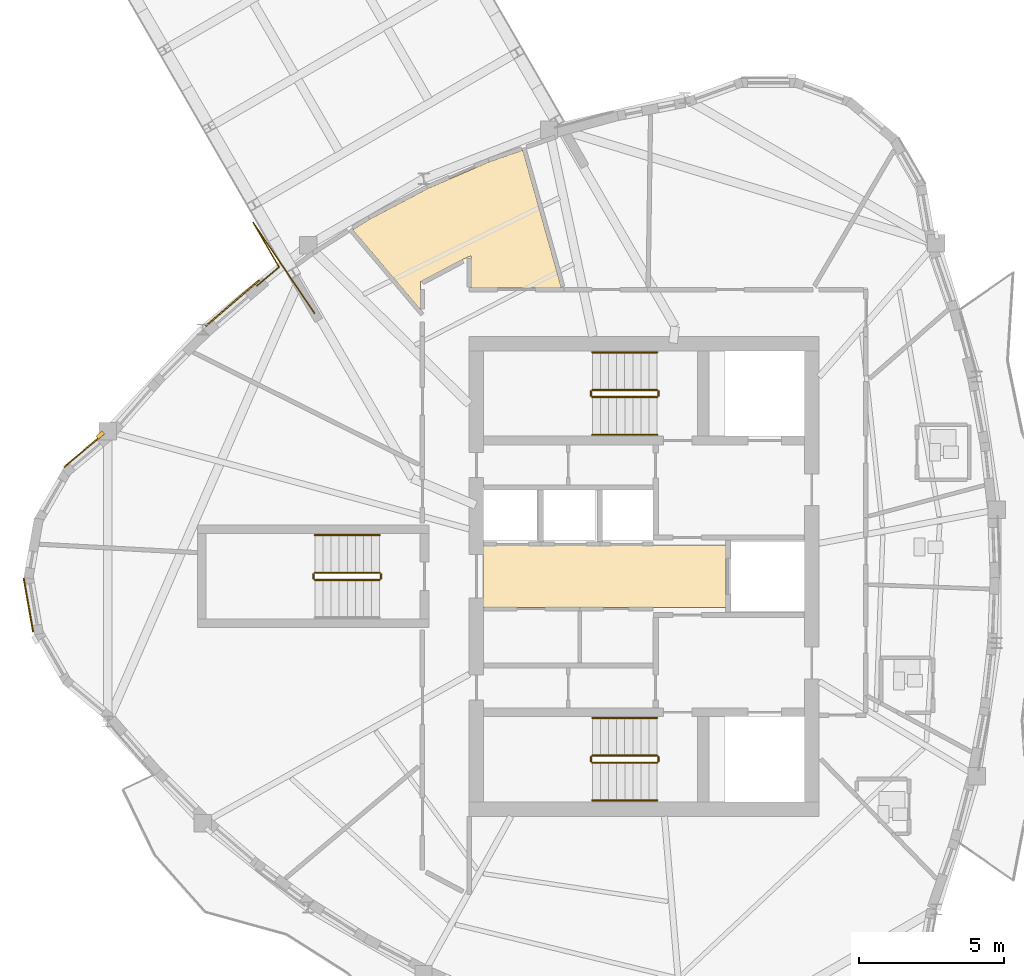
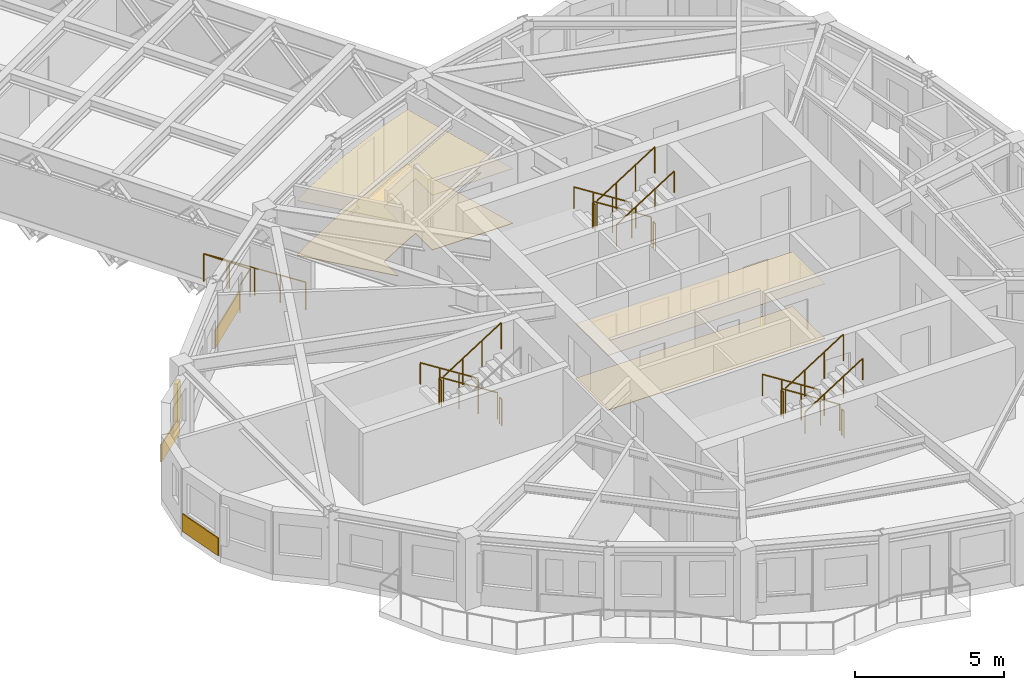
# One storey, part 12 of 14: 18 railings, 7 coverings, 1 shading device.
"""IFC4 building model written with IfcOpenShell, lengths in metres."""

from ifc_helpers import new_model, si_unit, direction, frame, origin, origin_2d, place, context, subcontext, project, spatial, polyline, rectangle, circle, outline, extrude, source, transform, mapped, material, layer, layer_set, type_object, element, save


model = new_model("IFC4")

# Units and contexts
model_context = context("Model", 3, precision=1e-05, world=origin(), true_north=direction((0.0, 1.0)))
body_context = subcontext(model_context, "Body", "Model", "MODEL_VIEW")
ifc_project = project(units=[si_unit("LENGTHUNIT", "METRE"), si_unit("AREAUNIT", "SQUARE_METRE"), si_unit("VOLUMEUNIT", "CUBIC_METRE"), si_unit("PLANEANGLEUNIT", "RADIAN"), si_unit("MASSUNIT", "GRAM", prefix="KILO")], contexts=[model_context])

# Site, building, storey
site_placement = place(None, origin())
site = spatial("IfcSite", under=ifc_project, at=site_placement, CompositionType="ELEMENT")
building_placement = place(site_placement, origin())
building = spatial("IfcBuilding", under=site, at=building_placement, Name="Qafzar Sky-Pleat Residences", CompositionType="ELEMENT")
storey_placement = place(building_placement, frame((0.0, 0.0, 208.39990234375)))
storey = spatial("IfcBuildingStorey", under=building, at=storey_placement, Name="L62", CompositionType="ELEMENT", Elevation=208.39990234375)

# Coverings
ifc_material_1 = material(Name="Perforated acoustic gypsum board ceiling")
ifc_layer_1 = layer(ifc_material_1, 0.02001953125)
ifc_layer_set_1 = layer_set([ifc_layer_1], Name="Perforated acoustic gypsum board ceiling")
covering_type_1 = type_object("IfcCoveringType", Name="COV-CEIL-ACOUSTIC", PredefinedType="CEILING", material=ifc_layer_set_1)
covering_1_placement = place(storey_placement, frame((0.0, 0.0, 2.239990234375)))
element("IfcCovering", 1, at=covering_1_placement, inside=storey, type_object=covering_type_1, Name="L62 Passenger Lift Lobby Acoustic Ceiling", PredefinedType="CEILING", context=body_context, shape_type="SweptSolid", body=[
    extrude(outline(polyline([(33.179931640625, 24.919921875), (24.77001953125, 24.919921875), (24.77001953125, 27.080078125), (33.179931640625, 27.080078125), (33.179931640625, 24.919921875)])), origin(), (0.0, 0.0, 1.0), 0.02001953125),
])
covering_2_placement = place(storey_placement, frame((0.0, 0.0, 2.239990234375)))
element("IfcCovering", 2, at=covering_2_placement, inside=storey, type_object=covering_type_1, Name="L62 Co-Living Lounge Acoustic Ceiling", PredefinedType="CEILING", context=body_context, shape_type="SweptSolid", body=[
    extrude(outline(polyline([(20.8642578125, 38.359619140625), (22.879150390625, 39.4228515625), (24.980712890625, 40.33642578125), (26.15185546875, 40.745361328125), (27.48828125, 35.97998046875), (24.360107421875, 35.97998046875), (24.360107421875, 37.08984375), (24.06201171875, 36.960205078125), (22.6201171875, 36.19921875), (22.6201171875, 35.21875), (20.274169921875, 37.98828125), (20.8642578125, 38.359619140625)])), origin(), (0.0, 0.0, 1.0), 0.02001953125),
])
ifc_material_2 = material(Name="Honed porcelain and Riyadh stone tile flooring", Category="masonry")
ifc_layer_2 = layer(ifc_material_2, 0.02001953125)
ifc_layer_set_2 = layer_set([ifc_layer_2], Name="Honed porcelain and Riyadh stone tile flooring")
covering_type_2 = type_object("IfcCoveringType", Name="COV-FLR-PORCELAIN", PredefinedType="FLOORING", material=ifc_layer_set_2)
covering_3_placement = place(storey_placement, origin())
element("IfcCovering", 3, at=covering_3_placement, inside=storey, type_object=covering_type_2, Name="L62 Passenger Lift Lobby Honed Stone Flooring", PredefinedType="FLOORING", context=body_context, shape_type="SweptSolid", body=[
    extrude(outline(polyline([(33.179931640625, 24.919921875), (24.77001953125, 24.919921875), (24.77001953125, 27.080078125), (33.179931640625, 27.080078125), (33.179931640625, 24.919921875)])), origin(), (0.0, 0.0, 1.0), 0.02001953125),
])
covering_4_placement = place(storey_placement, origin())
element("IfcCovering", 4, at=covering_4_placement, inside=storey, type_object=covering_type_2, Name="L62 Co-Living Lounge Honed Stone Flooring", PredefinedType="FLOORING", context=body_context, shape_type="SweptSolid", body=[
    extrude(outline(polyline([(20.8642578125, 38.359619140625), (22.879150390625, 39.4228515625), (24.980712890625, 40.33642578125), (26.15185546875, 40.745361328125), (27.48828125, 35.97998046875), (24.360107421875, 35.97998046875), (24.360107421875, 37.08984375), (24.06201171875, 36.960205078125), (22.6201171875, 36.19921875), (22.6201171875, 35.21875), (20.274169921875, 37.98828125), (20.8642578125, 38.359619140625)])), origin(), (0.0, 0.0, 1.0), 0.02001953125),
])

# Shading device
ifc_material_3 = material(Name="Honed Riyadh limestone solar fin", Category="masonry")
ifc_layer_3 = layer(ifc_material_3, 0.139892578125)
ifc_layer_set_3 = layer_set([ifc_layer_3], Name="Honed Riyadh limestone solar fin")
shading_device_type = type_object("IfcShadingDeviceType", Name="SHD-FIN-STONE", PredefinedType="SHUTTER", material=ifc_layer_set_3)
shared_shape_1 = source(origin(), body_context, "Body", "SweptSolid", [
    extrude(rectangle(XDim=0.139892578125, YDim=0.280029296875, at=origin_2d()), origin(), (0.0, 0.0, 1.0), 1.60009765625),
])
shading_device_placement = place(storey_placement, frame((11.533935546875, 30.888916015625, 0.60009765625), z_axis=(0.0, 0.0, 1.0), x_axis=(-0.642754210861, 0.76607246682, 0.0)))
element("IfcShadingDevice", 5, at=shading_device_placement, inside=storey, type_object=shading_device_type, Name="L62 Limestone Solar Fin 1", PredefinedType="SHUTTER", context=body_context, shape_type="MappedRepresentation", body=[
    mapped(shared_shape_1, transform((0.0, 0.0, 0.0), x_axis=(1.0, 0.0, 0.0), y_axis=(0.0, 1.0, 0.0), z_axis=(0.0, 0.0, 1.0), scale=1.0)),
])

# Coverings
ifc_material_4 = material(Name="Honed Riyadh Tuwaiq limestone cladding", Category="masonry")
ifc_layer_4 = layer(ifc_material_4, 0.044921875)
ifc_layer_set_4 = layer_set([ifc_layer_4], Name="Honed Riyadh Tuwaiq limestone cladding")
covering_type_3 = type_object("IfcCoveringType", Name="COV-CLAD-STONE", PredefinedType="CLADDING", material=ifc_layer_set_4)
shared_shape_2 = source(origin(), body_context, "Body", "SweptSolid", [
    extrude(rectangle(XDim=1.88134765625, YDim=0.044921875, at=origin_2d()), origin(), (0.0, 0.0, 1.0), 0.719970703125),
])
covering_5_placement = place(storey_placement, frame((9.04833984375, 25.00439453125, 0.02001953125), z_axis=(0.0, 0.0, 1.0), x_axis=(0.173662519465, -0.984805224059, 0.0)))
element("IfcCovering", 6, at=covering_5_placement, inside=storey, type_object=covering_type_3, Name="L62 Riyadh Limestone Spandrel Cladding 4", PredefinedType="CLADDING", context=body_context, shape_type="MappedRepresentation", body=[
    mapped(shared_shape_2, transform((0.0, 0.0, 0.0), x_axis=(1.0, 0.0, 0.0), y_axis=(0.0, 1.0, 0.0), z_axis=(0.0, 0.0, 1.0), scale=1.0)),
])
shared_shape_3 = source(origin(), body_context, "Body", "SweptSolid", [
    extrude(rectangle(XDim=1.76611328125, YDim=0.044921875, at=origin_2d()), origin(), (0.0, 0.0, 1.0), 0.719970703125),
])
covering_6_placement = place(storey_placement, frame((10.960205078125, 30.351318359375, 0.02001953125), z_axis=(0.0, 0.0, 1.0), x_axis=(-0.76607417096, -0.642752179762, 0.0)))
element("IfcCovering", 7, at=covering_6_placement, inside=storey, type_object=covering_type_3, Name="L62 Riyadh Limestone Spandrel Cladding 1", PredefinedType="CLADDING", context=body_context, shape_type="MappedRepresentation", body=[
    mapped(shared_shape_3, transform((0.0, 0.0, 0.0), x_axis=(1.0, 0.0, 0.0), y_axis=(0.0, 1.0, 0.0), z_axis=(0.0, 0.0, 1.0), scale=1.0)),
])
shared_shape_4 = source(origin(), body_context, "Body", "SweptSolid", [
    extrude(rectangle(XDim=2.435302734375, YDim=0.044921875, at=origin_2d()), origin(), (0.0, 0.0, 1.0), 0.719970703125),
])
covering_7_placement = place(storey_placement, frame((16.111572265625, 35.453857421875, 0.02001953125), z_axis=(0.0, 0.0, 1.0), x_axis=(-0.757500711769, -0.652834337078, 0.0)))
element("IfcCovering", 8, at=covering_7_placement, inside=storey, type_object=covering_type_3, Name="L62 Riyadh Limestone Spandrel Cladding 46", PredefinedType="CLADDING", context=body_context, shape_type="MappedRepresentation", body=[
    mapped(shared_shape_4, transform((0.0, 0.0, 0.0), x_axis=(1.0, 0.0, 0.0), y_axis=(0.0, 1.0, 0.0), z_axis=(0.0, 0.0, 1.0), scale=1.0)),
])

# Railings
ifc_material_5 = material(Name="Galvanised and bronze-coated Steel S355 guardrail", Category="steel")
railing_type_1 = type_object("IfcRailingType", Name="RAIL-EXT-1150", PredefinedType="GUARDRAIL", material=ifc_material_5)
shared_shape_5 = source(origin(), body_context, "Body", "SweptSolid", [
    extrude(circle(Radius=0.02392578125, at=origin_2d()), frame((0.0, 0.0, 1.1259765625), z_axis=(0.764194446789, 0.644985928139, 0.0), x_axis=(-0.644985928139, 0.764194446789, 0.0)), (0.0, 0.0, 1.0), 1.007568359375),
    extrude(circle(Radius=0.02392578125, at=origin_2d()), frame((0.77001953125, 0.64990234375, 1.1259765625), z_axis=(-0.50208293911, 0.864819473795, 0.0), x_axis=(-0.864819473795, -0.50208293911, 0.0)), (0.0, 0.0, 1.0), 1.792236328125),
    extrude(circle(Radius=0.02392578125, at=origin_2d()), frame((-0.1298828125, 2.199951171875, 1.1259765625), z_axis=(0.560140932105, -0.828397329897, 0.0), x_axis=(0.828397329897, 0.560140932105, 0.0)), (0.0, 0.0, 1.0), 3.802490234375),
    extrude(circle(Radius=0.02099609375, at=origin_2d()), origin(), (0.0, 0.0, 1.0), 1.101806640625),
    extrude(circle(Radius=0.02099609375, at=origin_2d()), frame((0.77001953125, 0.64990234375, 0.0)), (0.0, 0.0, 1.0), 1.101806640625),
    extrude(circle(Radius=0.02099609375, at=origin_2d()), frame((0.320068359375, 1.4248046875, 0.0)), (0.0, 0.0, 1.0), 1.101806640625),
    extrude(circle(Radius=0.02099609375, at=origin_2d()), frame((-0.1298828125, 2.199951171875, 0.0)), (0.0, 0.0, 1.0), 1.101806640625),
    extrude(circle(Radius=0.02099609375, at=origin_2d()), frame((0.402587890625, 1.41259765625, 0.0)), (0.0, 0.0, 1.0), 1.101806640625),
    extrude(circle(Radius=0.02099609375, at=origin_2d()), frame((0.93505859375, 0.625, 0.0)), (0.0, 0.0, 1.0), 1.101806640625),
    extrude(circle(Radius=0.02099609375, at=origin_2d()), frame((1.467529296875, -0.16259765625, 0.0)), (0.0, 0.0, 1.0), 1.101806640625),
    extrude(circle(Radius=0.02099609375, at=origin_2d()), frame((2.0, -0.949951171875, 0.0)), (0.0, 0.0, 1.0), 1.101806640625),
])
railing_placement = place(storey_placement, frame((16.949951171875, 36.050048828125, 0.0)))
element("IfcRailing", 9, at=railing_placement, inside=storey, type_object=railing_type_1, Name="L62 SB-5 Junction Perimeter Guardrail", PredefinedType="GUARDRAIL", context=body_context, shape_type="MappedRepresentation", body=[
    mapped(shared_shape_5, transform((0.0, 0.0, 0.0), x_axis=(1.0, 0.0, 0.0), y_axis=(0.0, 1.0, 0.0), z_axis=(0.0, 0.0, 1.0), scale=1.0)),
])
ifc_material_6 = material(Name="Painted Steel S355 stair guardrail", Category="steel")
railing_type_2 = type_object("IfcRailingType", Name="RAIL-STAIR-GUARD", PredefinedType="GUARDRAIL", material=ifc_material_6)
shared_shape_6 = source(origin(), body_context, "Body", "SweptSolid", [
    extrude(circle(Radius=0.02392578125, at=origin_2d()), frame((0.0, 0.0, 1.076171875), z_axis=(0.0, -1.0, 0.0), x_axis=(1.0, 0.0, 0.0)), (0.0, 0.0, 1.0), 0.14990234375),
    extrude(circle(Radius=0.02099609375, at=origin_2d()), origin(), (0.0, 0.0, 1.0), 1.052001953125),
    extrude(circle(Radius=0.02099609375, at=origin_2d()), frame((0.0, -0.14990234375, 0.0)), (0.0, 0.0, 1.0), 1.052001953125),
])
for number, where, name in (
    (10, (28.510009765625, 19.75, 1.60009765625), "L62 ST1 stair guard 2"),
    (11, (30.85009765625, 19.75, 0.0), "L62 ST1 stair guard 4"),
    (12, (28.510009765625, 32.39990234375, 1.60009765625), "L62 ST2 stair guard 2"),
    (13, (30.85009765625, 32.39990234375, 0.0), "L62 ST2 stair guard 4"),
    (14, (18.909912109375, 26.074951171875, 1.60009765625), "L62 ST3 stair guard 2"),
    (15, (21.25, 26.074951171875, 0.0), "L62 ST3 stair guard 4"),
):
    element("IfcRailing", number, at=place(storey_placement, frame(where)), inside=storey, type_object=railing_type_2, Name=name, PredefinedType="GUARDRAIL", context=body_context, shape_type="MappedRepresentation", body=[
        mapped(shared_shape_6, transform((0.0, 0.0, 0.0), x_axis=(1.0, 0.0, 0.0), y_axis=(0.0, 1.0, 0.0), z_axis=(0.0, 0.0, 1.0), scale=1.0)),
    ])
shared_shape_7 = source(origin(), body_context, "Body", "SweptSolid", [
    extrude(circle(Radius=0.02392578125, at=origin_2d()), frame((0.0, 0.0, 1.076171875), z_axis=(-0.8442293374, 0.0, 0.53598211339), x_axis=(0.0, -1.0, 0.0)), (0.0, 0.0, 1.0), 2.6533203125),
    extrude(circle(Radius=0.02099609375, at=origin_2d()), origin(), (0.0, 0.0, 1.0), 1.052001953125),
    extrude(circle(Radius=0.02099609375, at=origin_2d()), frame((-0.74658203125, 0.0, 0.47412109375)), (0.0, 0.0, 1.0), 1.052001953125),
    extrude(circle(Radius=0.02099609375, at=origin_2d()), frame((-1.493408203125, 0.0, 0.947998046875)), (0.0, 0.0, 1.0), 1.052001953125),
    extrude(circle(Radius=0.02099609375, at=origin_2d()), frame((-2.239990234375, 0.0, 1.422119140625)), (0.0, 0.0, 1.0), 1.052001953125),
])
for number, where, name in (
    (16, (30.800048828125, 19.800048828125, 0.177978515625), "L62 ST1 stair guard 1"),
    (17, (30.800048828125, 32.449951171875, 0.177978515625), "L62 ST2 stair guard 1"),
    (18, (21.199951171875, 26.125, 0.177978515625), "L62 ST3 stair guard 1"),
):
    element("IfcRailing", number, at=place(storey_placement, frame(where)), inside=storey, type_object=railing_type_2, Name=name, PredefinedType="GUARDRAIL", context=body_context, shape_type="MappedRepresentation", body=[
        mapped(shared_shape_7, transform((0.0, 0.0, 0.0), x_axis=(1.0, 0.0, 0.0), y_axis=(0.0, 1.0, 0.0), z_axis=(0.0, 0.0, 1.0), scale=1.0)),
    ])
ifc_material_7 = material(Name="Brushed stainless steel handrail", Category="steel")
railing_type_3 = type_object("IfcRailingType", Name="RAIL-STAIR-HAND", PredefinedType="HANDRAIL", material=ifc_material_7)
shared_shape_8 = source(origin(), body_context, "Body", "SweptSolid", [
    extrude(circle(Radius=0.02392578125, at=origin_2d()), frame((0.0, 0.0, 0.8759765625), z_axis=(-0.8442293374, 0.0, 0.53598211339), x_axis=(0.0, -1.0, 0.0)), (0.0, 0.0, 1.0), 2.6533203125),
    extrude(circle(Radius=0.02099609375, at=origin_2d()), origin(), (0.0, 0.0, 1.0), 0.851806640625),
    extrude(circle(Radius=0.02099609375, at=origin_2d()), frame((-0.74658203125, 0.0, 0.47412109375)), (0.0, 0.0, 1.0), 0.851806640625),
    extrude(circle(Radius=0.02099609375, at=origin_2d()), frame((-1.493408203125, 0.0, 0.947998046875)), (0.0, 0.0, 1.0), 0.851806640625),
    extrude(circle(Radius=0.02099609375, at=origin_2d()), frame((-2.239990234375, 0.0, 1.422119140625)), (0.0, 0.0, 1.0), 0.851806640625),
])
for number, where, name in (
    (19, (30.800048828125, 21.10009765625, 0.177978515625), "L62 ST1 stair handrail 1"),
    (20, (30.800048828125, 33.75, 0.177978515625), "L62 ST2 stair handrail 1"),
    (21, (21.199951171875, 27.425048828125, 0.177978515625), "L62 ST3 stair handrail 1"),
):
    element("IfcRailing", number, at=place(storey_placement, frame(where)), inside=storey, type_object=railing_type_3, Name=name, PredefinedType="HANDRAIL", context=body_context, shape_type="MappedRepresentation", body=[
        mapped(shared_shape_8, transform((0.0, 0.0, 0.0), x_axis=(1.0, 0.0, 0.0), y_axis=(0.0, 1.0, 0.0), z_axis=(0.0, 0.0, 1.0), scale=1.0)),
    ])
shared_shape_9 = source(origin(), body_context, "Body", "SweptSolid", [
    extrude(circle(Radius=0.02392578125, at=origin_2d()), frame((0.0, 0.0, 1.076171875), z_axis=(0.84418770128, 0.0, 0.536047689118), x_axis=(0.0, 1.0, 0.0)), (0.0, 0.0, 1.0), 2.6533203125),
    extrude(circle(Radius=0.02099609375, at=origin_2d()), origin(), (0.0, 0.0, 1.0), 1.052001953125),
    extrude(circle(Radius=0.02099609375, at=origin_2d()), frame((0.74658203125, 0.0, 0.47412109375)), (0.0, 0.0, 1.0), 1.052001953125),
    extrude(circle(Radius=0.02099609375, at=origin_2d()), frame((1.493408203125, 0.0, 0.9482421875)), (0.0, 0.0, 1.0), 1.052001953125),
    extrude(circle(Radius=0.02099609375, at=origin_2d()), frame((2.239990234375, 0.0, 1.42236328125)), (0.0, 0.0, 1.0), 1.052001953125),
])
for number, where, name in (
    (22, (28.56005859375, 19.550048828125, 1.77783203125), "L62 ST1 stair guard 3"),
    (23, (28.56005859375, 32.199951171875, 1.77783203125), "L62 ST2 stair guard 3"),
    (24, (18.9599609375, 25.875, 1.77783203125), "L62 ST3 stair guard 3"),
):
    element("IfcRailing", number, at=place(storey_placement, frame(where)), inside=storey, type_object=railing_type_2, Name=name, PredefinedType="GUARDRAIL", context=body_context, shape_type="MappedRepresentation", body=[
        mapped(shared_shape_9, transform((0.0, 0.0, 0.0), x_axis=(1.0, 0.0, 0.0), y_axis=(0.0, 1.0, 0.0), z_axis=(0.0, 0.0, 1.0), scale=1.0)),
    ])
shared_shape_10 = source(origin(), body_context, "Body", "SweptSolid", [
    extrude(circle(Radius=0.02392578125, at=origin_2d()), frame((0.0, 0.0, 0.8759765625), z_axis=(0.84418770128, 0.0, 0.536047689118), x_axis=(0.0, 1.0, 0.0)), (0.0, 0.0, 1.0), 2.6533203125),
    extrude(circle(Radius=0.02099609375, at=origin_2d()), origin(), (0.0, 0.0, 1.0), 0.851806640625),
    extrude(circle(Radius=0.02099609375, at=origin_2d()), frame((0.74658203125, 0.0, 0.47412109375)), (0.0, 0.0, 1.0), 0.851806640625),
    extrude(circle(Radius=0.02099609375, at=origin_2d()), frame((1.493408203125, 0.0, 0.9482421875)), (0.0, 0.0, 1.0), 0.851806640625),
    extrude(circle(Radius=0.02099609375, at=origin_2d()), frame((2.239990234375, 0.0, 1.42236328125)), (0.0, 0.0, 1.0), 0.851806640625),
])
for number, where, name in (
    (25, (28.56005859375, 18.25, 1.77783203125), "L62 ST1 stair handrail 2"),
    (26, (28.56005859375, 30.89990234375, 1.77783203125), "L62 ST2 stair handrail 2"),
):
    element("IfcRailing", number, at=place(storey_placement, frame(where)), inside=storey, type_object=railing_type_3, Name=name, PredefinedType="HANDRAIL", context=body_context, shape_type="MappedRepresentation", body=[
        mapped(shared_shape_10, transform((0.0, 0.0, 0.0), x_axis=(1.0, 0.0, 0.0), y_axis=(0.0, 1.0, 0.0), z_axis=(0.0, 0.0, 1.0), scale=1.0)),
    ])

save(model, "model.ifc")
